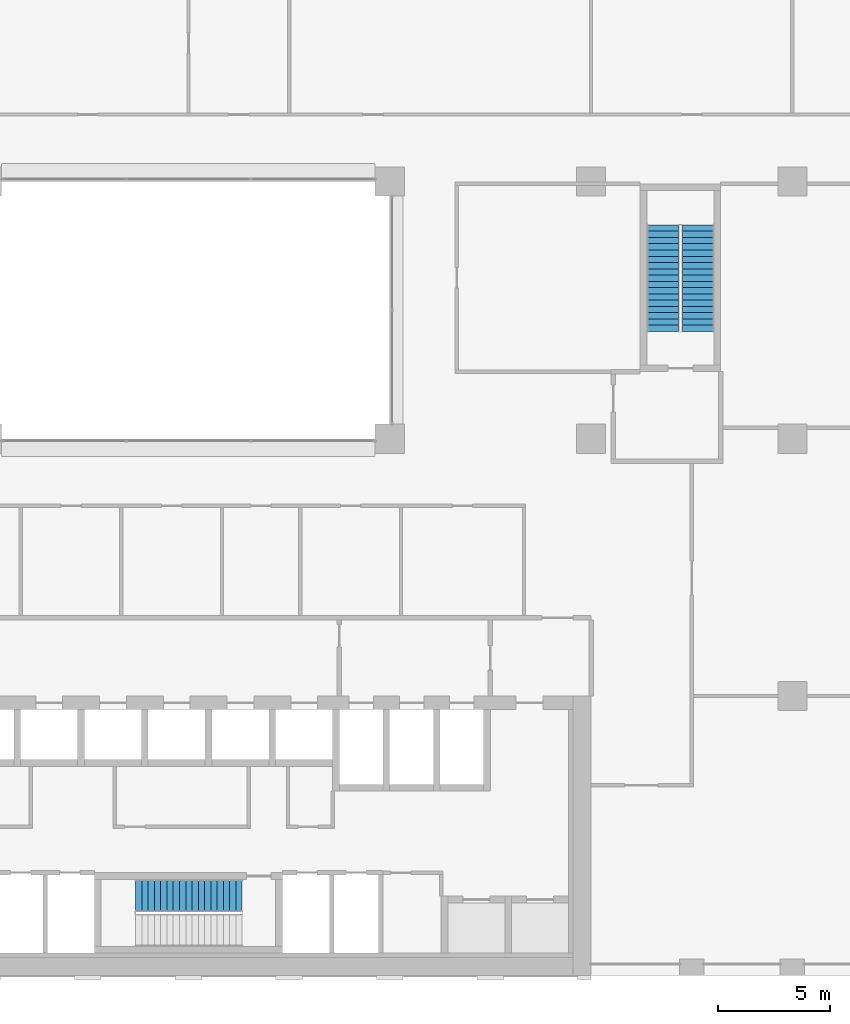
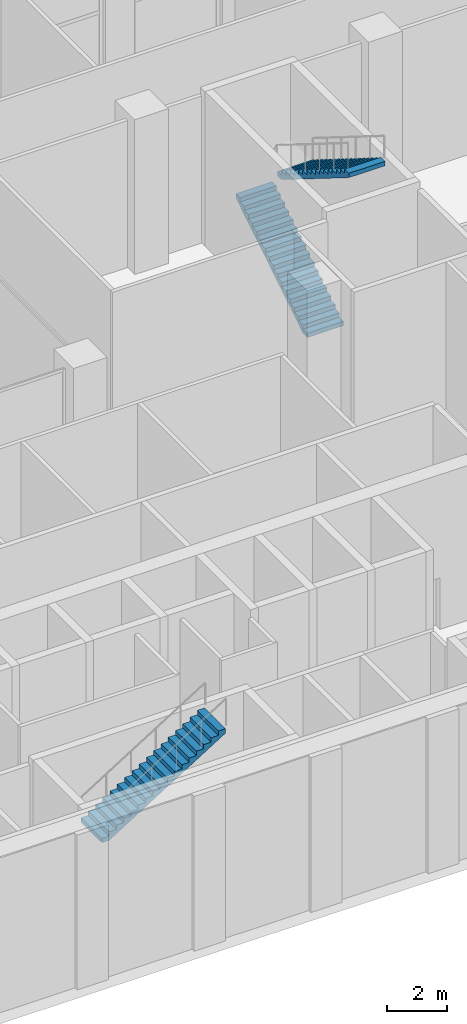
# One storey, part 18 of 21: 3 stair flights, 2 elements without a shape of their own.
"""IFC4 building model written with IfcOpenShell, lengths in metres."""

from ifc_helpers import new_model, si_unit, direction, frame, origin, place, context, subcontext, project, spatial, polyline, outline, extrude, material, type_object, element, aggregate, save


model = new_model("IFC4")

# Units and contexts
model_context = context("Model", 3, precision=1e-05, world=origin(), true_north=direction((0.0, 1.0)))
body_context = subcontext(model_context, "Body", "Model", "MODEL_VIEW")
ifc_project = project(units=[si_unit("LENGTHUNIT", "METRE"), si_unit("AREAUNIT", "SQUARE_METRE"), si_unit("VOLUMEUNIT", "CUBIC_METRE"), si_unit("PLANEANGLEUNIT", "RADIAN"), si_unit("MASSUNIT", "GRAM", prefix="KILO")], contexts=[model_context])

# Site, building, storey
site_placement = place(None, origin())
site = spatial("IfcSite", under=ifc_project, at=site_placement, CompositionType="ELEMENT")
building_placement = place(site_placement, origin())
building = spatial("IfcBuilding", under=site, at=building_placement, Name="Brigalow Station Residences", CompositionType="ELEMENT")
storey_placement = place(building_placement, frame((0.0, 0.0, 77.25)))
storey = spatial("IfcBuildingStorey", under=building, at=storey_placement, Name="L22", CompositionType="ELEMENT", Elevation=77.25)

# Stair, stair flight
ifc_material_1 = material(Name="Concrete C50", Category="concrete")
stair_type = type_object("IfcStairType", Name="EXIT STAIR 1400 2 FLIGHT", PredefinedType="HALF_TURN_STAIR", material=ifc_material_1)
stair_1_placement = place(storey_placement, origin())
stair_1 = element("IfcStair", 1, at=stair_1_placement, inside=storey, type_object=stair_type, Name="EXIT STAIR S2 L22", PredefinedType="HALF_TURN_STAIR")
ifc_material_2 = material(Name="Concrete C50", Category="concrete")
stair_flight_type = type_object("IfcStairFlightType", Name="STAIR FLIGHT 1400", PredefinedType="STRAIGHT", material=ifc_material_2)
stair_flight_1_placement = place(storey_placement, frame((33.639892578125, 3.60009765625, 3.14990234375), z_axis=(0.0, 0.0, 1.0), x_axis=(1.0, 0.0, 0.0)))
stair_flight_1 = element("IfcStairFlight", 2, at=stair_flight_1_placement, type_object=stair_flight_type, Name="ST-2 flight 2", NumberOfRisers=18, NumberOfTreads=17, PredefinedType="STRAIGHT", RiserHeight=0.175, TreadLength=0.28, context=body_context, shape_type="SweptSolid", body=[
    extrude(outline(polyline([(0.0, 0.0), (0.0, 0.175048828125), (0.280029296875, 0.175048828125), (0.280029296875, 0.35009765625), (0.56005859375, 0.35009765625), (0.56005859375, 0.52490234375), (0.840087890625, 0.52490234375), (0.840087890625, 0.699951171875), (1.1201171875, 0.699951171875), (1.1201171875, 0.875), (1.39990234375, 0.875), (1.39990234375, 1.050048828125), (1.679931640625, 1.050048828125), (1.679931640625, 1.22509765625), (1.9599609375, 1.22509765625), (1.9599609375, 1.39990234375), (2.239990234375, 1.39990234375), (2.239990234375, 1.574951171875), (2.52001953125, 1.574951171875), (2.52001953125, 1.75), (2.800048828125, 1.75), (2.800048828125, 1.925048828125), (3.080078125, 1.925048828125), (3.080078125, 2.10009765625), (3.360107421875, 2.10009765625), (3.360107421875, 2.27490234375), (3.639892578125, 2.27490234375), (3.639892578125, 2.449951171875), (3.919921875, 2.449951171875), (3.919921875, 2.625), (4.199951171875, 2.625), (4.199951171875, 2.800048828125), (4.47998046875, 2.800048828125), (4.47998046875, 2.97509765625), (4.760009765625, 2.97509765625), (4.760009765625, 3.14990234375), (4.760009765625, 2.79833984375), (0.28271484375, 0.0), (0.0, 0.0)])), frame((0.0, 0.699951171875, 0.0), z_axis=(0.0, -1.0, 0.0), x_axis=(1.0, 0.0, 0.0)), (0.0, 0.0, 1.0), 1.39990234375),
])
aggregate(stair_1, [stair_flight_1])

# Stair, stair flights
stair_2_placement = place(storey_placement, origin())
stair_2 = element("IfcStair", 3, at=stair_2_placement, inside=storey, type_object=stair_type, Name="EXIT STAIR S3 L22", PredefinedType="HALF_TURN_STAIR")
stair_flight_2_placement = place(storey_placement, frame((57.199951171875, 28.800048828125, 0.0), z_axis=(0.0, 0.0, 1.0), x_axis=(0.0, 1.0, 0.0)))
stair_flight_2 = element("IfcStairFlight", 4, at=stair_flight_2_placement, type_object=stair_flight_type, Name="ST-3 flight 1", NumberOfRisers=18, NumberOfTreads=17, PredefinedType="STRAIGHT", RiserHeight=0.175, TreadLength=0.28, context=body_context, shape_type="SweptSolid", body=[
    extrude(outline(polyline([(0.0, 0.0), (0.0, 0.175048828125), (0.280029296875, 0.175048828125), (0.280029296875, 0.35009765625), (0.56005859375, 0.35009765625), (0.56005859375, 0.52490234375), (0.840087890625, 0.52490234375), (0.840087890625, 0.699951171875), (1.1201171875, 0.699951171875), (1.1201171875, 0.875), (1.39990234375, 0.875), (1.39990234375, 1.050048828125), (1.679931640625, 1.050048828125), (1.679931640625, 1.22509765625), (1.9599609375, 1.22509765625), (1.9599609375, 1.39990234375), (2.239990234375, 1.39990234375), (2.239990234375, 1.574951171875), (2.52001953125, 1.574951171875), (2.52001953125, 1.75), (2.800048828125, 1.75), (2.800048828125, 1.925048828125), (3.080078125, 1.925048828125), (3.080078125, 2.10009765625), (3.360107421875, 2.10009765625), (3.360107421875, 2.27490234375), (3.639892578125, 2.27490234375), (3.639892578125, 2.449951171875), (3.919921875, 2.449951171875), (3.919921875, 2.625), (4.199951171875, 2.625), (4.199951171875, 2.800048828125), (4.47998046875, 2.800048828125), (4.47998046875, 2.97509765625), (4.760009765625, 2.97509765625), (4.760009765625, 3.14990234375), (4.760009765625, 2.79833984375), (0.28271484375, 0.0), (0.0, 0.0)])), frame((0.0, 0.699951171875, 0.0), z_axis=(0.0, -1.0, 0.0), x_axis=(1.0, 0.0, 0.0)), (0.0, 0.0, 1.0), 1.39990234375),
])
stair_flight_3_placement = place(storey_placement, frame((58.800048828125, 33.56005859375, 3.14990234375), z_axis=(0.0, 0.0, 1.0), x_axis=(0.0, -1.0, 0.0)))
stair_flight_3 = element("IfcStairFlight", 5, at=stair_flight_3_placement, type_object=stair_flight_type, Name="ST-3 flight 2", NumberOfRisers=18, NumberOfTreads=17, PredefinedType="STRAIGHT", RiserHeight=0.175, TreadLength=0.28, context=body_context, shape_type="SweptSolid", body=[
    extrude(outline(polyline([(0.0, 0.0), (0.0, 0.175048828125), (0.280029296875, 0.175048828125), (0.280029296875, 0.35009765625), (0.56005859375, 0.35009765625), (0.56005859375, 0.52490234375), (0.840087890625, 0.52490234375), (0.840087890625, 0.699951171875), (1.1201171875, 0.699951171875), (1.1201171875, 0.875), (1.39990234375, 0.875), (1.39990234375, 1.050048828125), (1.679931640625, 1.050048828125), (1.679931640625, 1.22509765625), (1.9599609375, 1.22509765625), (1.9599609375, 1.39990234375), (2.239990234375, 1.39990234375), (2.239990234375, 1.574951171875), (2.52001953125, 1.574951171875), (2.52001953125, 1.75), (2.800048828125, 1.75), (2.800048828125, 1.925048828125), (3.080078125, 1.925048828125), (3.080078125, 2.10009765625), (3.360107421875, 2.10009765625), (3.360107421875, 2.27490234375), (3.639892578125, 2.27490234375), (3.639892578125, 2.449951171875), (3.919921875, 2.449951171875), (3.919921875, 2.625), (4.199951171875, 2.625), (4.199951171875, 2.800048828125), (4.47998046875, 2.800048828125), (4.47998046875, 2.97509765625), (4.760009765625, 2.97509765625), (4.760009765625, 3.14990234375), (4.760009765625, 2.79833984375), (0.28271484375, 0.0), (0.0, 0.0)])), frame((0.0, 0.699951171875, 0.0), z_axis=(0.0, -1.0, 0.0), x_axis=(1.0, 0.0, 0.0)), (0.0, 0.0, 1.0), 1.39990234375),
])
aggregate(stair_2, [stair_flight_2, stair_flight_3])

save(model, "model.ifc")
